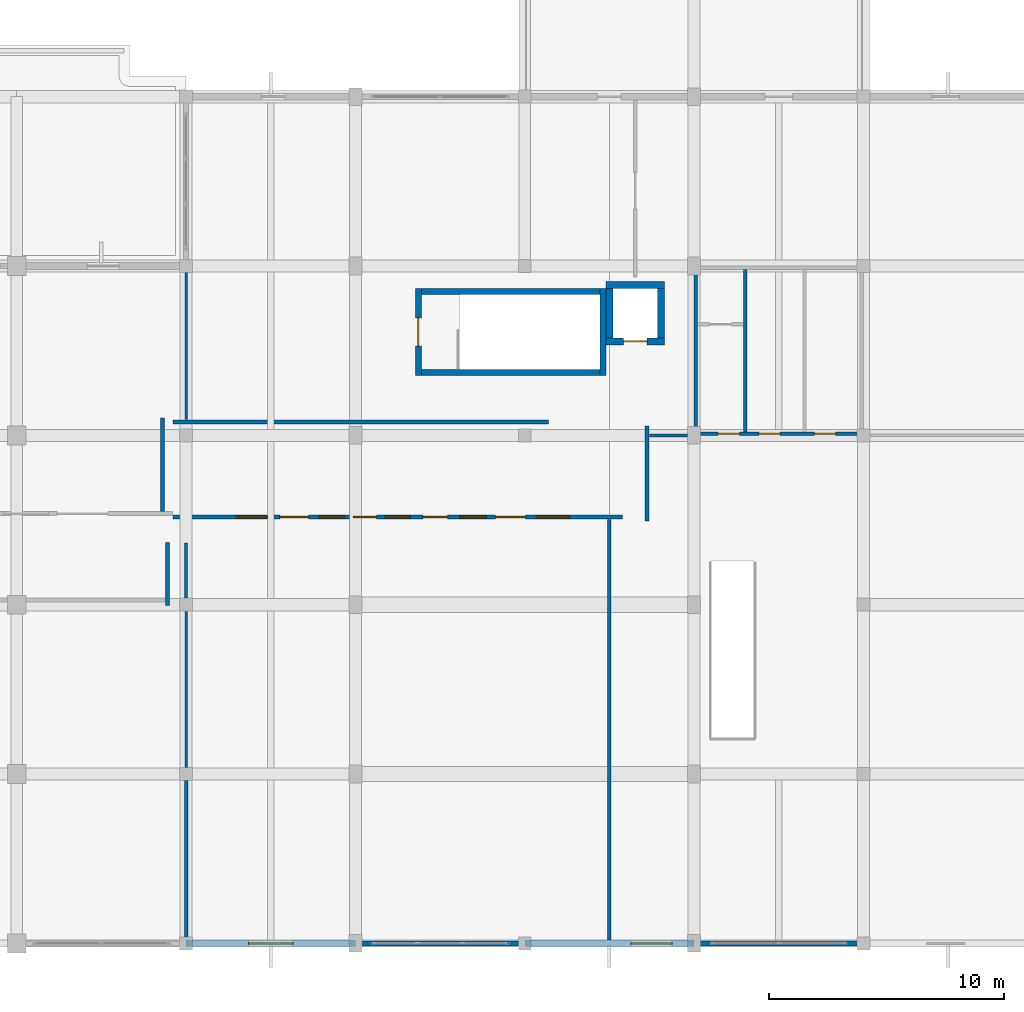
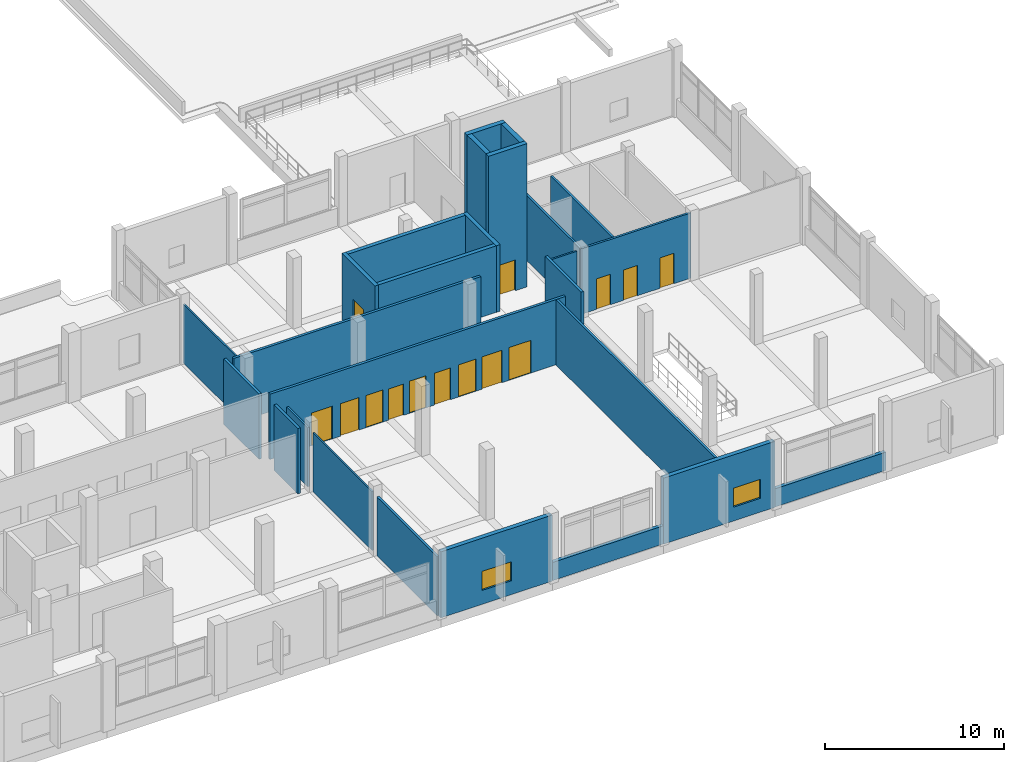
# One storey, part 128 of 140: 26 walls, 14 doors, 2 windows, 16 openings.
"""IFC4 building model written with IfcOpenShell, lengths in metres."""

import ifcopenshell
import ifcopenshell.guid

model = None  # the IFC model being written
_history = None  # IfcOwnerHistory: only IFC2X3 demands one
_inside = {}  # id of a spatial element -> (the spatial element, [elements in it])
_under = {}  # id of a project, library or spatial element -> (it, [spatial elements below it])
_declared = {}  # id of a project -> (the project, [libraries it declares])
_typed = {}  # id of a type object -> (the type object, [elements of that type])
_made_of = {}  # id of a material, layer set ... -> (it, [elements and type objects made of it])


def new_model(schema):
    """Start an empty IFC model of exactly this schema.

    Asked for "IFC4X3", IfcOpenShell would pick the latest addendum, in which some entities
    have other attributes; the version numbers below select the first issue.
    IFC2X3 requires an IfcOwnerHistory on every rooted entity: one is made here for all.
    """
    global model, _history
    if schema == "IFC4X3":
        model = ifcopenshell.file(schema_version=(4, 3, 0, 0))
    else:
        model = ifcopenshell.file(schema=schema)
    _inside.clear()
    _under.clear()
    _declared.clear()
    _typed.clear()
    _made_of.clear()
    _history = None
    if model.schema == "IFC2X3":
        org = make("IfcOrganization", Name="unknown")
        user = make(
            "IfcPersonAndOrganization",
            ThePerson=make("IfcPerson", FamilyName="unknown"),
            TheOrganization=org,
        )
        app = make(
            "IfcApplication",
            ApplicationDeveloper=org,
            Version="unknown",
            ApplicationFullName="unknown",
            ApplicationIdentifier="unknown",
        )
        _history = make(
            "IfcOwnerHistory",
            OwningUser=user,
            OwningApplication=app,
            ChangeAction="ADDED",
            CreationDate=0,
        )
    return model


def make(cls, **values):
    """One entity of the class cls with the attributes given. An attribute that is None is left unset."""
    return model.create_entity(
        cls, **{name: value for name, value in values.items() if value is not None}
    )


def rooted(cls, **values):
    """An entity with a GlobalId (a new one), such as an element, a storey or a relation."""
    return make(cls, GlobalId=ifcopenshell.guid.new(), OwnerHistory=_history, **values)


def si_unit(unit_type, name, prefix=None):
    """IfcSIUnit, for example si_unit("LENGTHUNIT", "METRE", prefix="MILLI")."""
    return make("IfcSIUnit", UnitType=unit_type, Prefix=prefix, Name=name)


def assignment(units):
    """IfcUnitAssignment: the units of a project."""
    return None if units is None else make("IfcUnitAssignment", Units=units)


def point(xyz):
    """IfcCartesianPoint."""
    return None if xyz is None else make("IfcCartesianPoint", Coordinates=xyz)


def direction(xyz):
    """IfcDirection."""
    return None if xyz is None else make("IfcDirection", DirectionRatios=xyz)


def frame(location, z_axis=None, x_axis=None):
    """IfcAxis2Placement3D, a coordinate frame: its origin and axes. An axis left out is left unset."""
    return make(
        "IfcAxis2Placement3D",
        Location=point(location),
        Axis=direction(z_axis),
        RefDirection=direction(x_axis),
    )


def frame_2d(location, x_axis=None):
    """IfcAxis2Placement2D, a coordinate frame in the plane: its origin and x axis."""
    return make(
        "IfcAxis2Placement2D", Location=point(location), RefDirection=direction(x_axis)
    )


def origin():
    """The frame at (0, 0, 0) with its axes left unset."""
    return frame((0.0, 0.0, 0.0))


def place(relative_to, where):
    """IfcLocalPlacement: puts the frame where relative to a parent placement (None: the world)."""
    return make(
        "IfcLocalPlacement", PlacementRelTo=relative_to, RelativePlacement=where
    )


def context(
    kind, dimensions, precision=None, world=None, true_north=None, identifier=None
):
    """IfcGeometricRepresentationContext, for example the 3D "Model" context."""
    return make(
        "IfcGeometricRepresentationContext",
        ContextIdentifier=identifier,
        ContextType=kind,
        CoordinateSpaceDimension=dimensions,
        Precision=precision,
        WorldCoordinateSystem=world,
        TrueNorth=true_north,
    )


def subcontext(parent, identifier, kind, view, scale=None):
    """IfcGeometricRepresentationSubContext, for example "Body" below "Model"."""
    return make(
        "IfcGeometricRepresentationSubContext",
        ContextIdentifier=identifier,
        ContextType=kind,
        ParentContext=parent,
        TargetScale=scale,
        TargetView=view,
    )


def project(units=None, contexts=None):
    """IfcProject with its units and contexts."""
    return rooted(
        "IfcProject",
        Name="project",
        RepresentationContexts=contexts,
        UnitsInContext=assignment(units),
    )


def spatial(cls, under=None, at=None, **own):
    """A site, building, storey or space (cls), placed at a placement, below another one or the project."""
    s = rooted(cls, ObjectPlacement=at, **own)
    if under is not None:
        _under.setdefault(under.id(), (under, []))[1].append(s)
    return s


def profile(cls, at=None, kind="AREA", **sizes):
    """A parametric profile (cls). Its sizes go by their IFC names, for example OverallWidth=200.0."""
    return make(cls, ProfileType=kind, Position=at, **sizes)


def rectangle(**sizes):
    """IfcRectangleProfileDef."""
    return profile("IfcRectangleProfileDef", **sizes)


def extrude(swept, where, along, depth):
    """IfcExtrudedAreaSolid: the profile swept, set in the frame where, extruded along a direction by depth."""
    return make(
        "IfcExtrudedAreaSolid",
        SweptArea=swept,
        Position=where,
        ExtrudedDirection=direction(along),
        Depth=depth,
    )


def shape(context_of_items, identifier, shape_type, items):
    """IfcShapeRepresentation: the items that make up one representation, for example the "Body"."""
    return make(
        "IfcShapeRepresentation",
        ContextOfItems=context_of_items,
        RepresentationIdentifier=identifier,
        RepresentationType=shape_type,
        Items=items,
    )


def material(Name=None, Category=None):
    """IfcMaterial."""
    return make("IfcMaterial", Name=Name, Category=Category)


def layer(
    of_material, thickness, ventilated=None, Name=None, Category=None, Priority=None
):
    """IfcMaterialLayer: one layer of a wall or slab, of a material (None: an air gap)."""
    return make(
        "IfcMaterialLayer",
        Material=of_material,
        LayerThickness=thickness,
        IsVentilated=ventilated,
        Name=Name,
        Category=Category,
        Priority=Priority,
    )


def layer_set(layers, Name=None):
    """IfcMaterialLayerSet."""
    return make("IfcMaterialLayerSet", MaterialLayers=layers, LayerSetName=Name)


def made_of(thing, what):
    """Note that an element or type object is made of a material, layer set ...; save() writes the relation."""
    if what is not None:
        _made_of.setdefault(what.id(), (what, []))[1].append(thing)
    return thing


def type_object(cls, material=None, **own):
    """A type object (cls), such as IfcWallType, which elements share."""
    return made_of(rooted(cls, **own), material)


def element(
    cls,
    number,
    at=None,
    inside=None,
    cuts=None,
    type_object=None,
    material=None,
    context=None,
    identifier="Body",
    shape_type=None,
    held_by="IfcProductDefinitionShape",
    body=None,
    shapes=None,
    **own,
):
    """One element of the class cls, such as IfcWall. Its Tag is "e" and its number.

    at: its placement. inside: the storey or other place that contains it. cuts: it is an
    opening in that element (IfcRelVoidsElement). A single representation is given by context,
    identifier, shape_type and body (its items); several are given by shapes. held_by: the class
    of the entity that holds the representations. save() writes the other relations.
    """
    e = rooted(cls, Tag="e%d" % number, ObjectPlacement=at, **own)
    if body is not None:
        shapes = [shape(context, identifier, shape_type, body)]
    if shapes is not None:
        e.Representation = make(held_by, Representations=shapes)
    if inside is not None:
        _inside.setdefault(inside.id(), (inside, []))[1].append(e)
    if cuts is not None:
        rooted(
            "IfcRelVoidsElement", RelatingBuildingElement=cuts, RelatedOpeningElement=e
        )
    if type_object is not None:
        _typed.setdefault(type_object.id(), (type_object, []))[1].append(e)
    return made_of(e, material)


def fill(opening, filler):
    """IfcRelFillsElement: the door or window that sits in an opening."""
    return rooted(
        "IfcRelFillsElement",
        RelatingOpeningElement=opening,
        RelatedBuildingElement=filler,
    )


def aggregate(whole, parts):
    """IfcRelAggregates: a whole, such as a stair, and the parts it consists of."""
    return rooted("IfcRelAggregates", RelatingObject=whole, RelatedObjects=parts)


def save(model, path):
    """Write the relations noted so far, then the file.

    IfcRelAggregates (storeys below a building ...), IfcRelContainedInSpatialStructure (elements
    in a storey), IfcRelDefinesByType, IfcRelAssociatesMaterial and IfcRelDeclares: one each for
    every whole, place, type object, material and project.
    """
    for whole, parts in _under.values():
        aggregate(whole, parts)
    for where, things in _inside.values():
        rooted(
            "IfcRelContainedInSpatialStructure",
            RelatedElements=things,
            RelatingStructure=where,
        )
    for kind, things in _typed.values():
        rooted("IfcRelDefinesByType", RelatedObjects=things, RelatingType=kind)
    for what, things in _made_of.values():
        rooted("IfcRelAssociatesMaterial", RelatedObjects=things, RelatingMaterial=what)
    for by, libraries in _declared.values():
        rooted("IfcRelDeclares", RelatingContext=by, RelatedDefinitions=libraries)
    model.write(path)


model = new_model("IFC4")

# Units and contexts
model_context = context("Model", 3, precision=1e-05, world=origin(), true_north=direction((0.0, 1.0)))
body_context = subcontext(model_context, "Body", "Model", "MODEL_VIEW")
ifc_project = project(units=[si_unit("LENGTHUNIT", "METRE"), si_unit("AREAUNIT", "SQUARE_METRE"), si_unit("VOLUMEUNIT", "CUBIC_METRE"), si_unit("PLANEANGLEUNIT", "RADIAN"), si_unit("MASSUNIT", "GRAM", prefix="KILO")], contexts=[model_context])

# Site, building, storey
site_placement = place(None, origin())
site = spatial("IfcSite", under=ifc_project, at=site_placement, CompositionType="ELEMENT")
building_placement = place(site_placement, origin())
building = spatial("IfcBuilding", under=site, at=building_placement, Name="Seraya Terrace Polytechnic", CompositionType="ELEMENT")
storey_placement = place(building_placement, frame((0.0, 0.0, 9.60009765625)))
storey = spatial("IfcBuildingStorey", under=building, at=storey_placement, Name="L02", CompositionType="ELEMENT", Elevation=9.60009765625)

# Wall, opening, window
ifc_material_1 = material(Name="Precast concrete C40/50", Category="concrete")
ifc_layer_1 = layer(ifc_material_1, 0.280029296875, Name="EW-02")
ifc_layer_set_1 = layer_set([ifc_layer_1], Name="Precast concrete C40/50")
wall_type_1 = type_object("IfcWallType", Name="EW-02", PredefinedType="SOLIDWALL", material=ifc_layer_set_1)
wall_1_placement = place(storey_placement, frame((151.199951171875, 0.0, 0.0), z_axis=(0.0, 0.0, 1.0), x_axis=(-1.0, 0.0, 0.0)))
wall_1 = element("IfcWall", 1, at=wall_1_placement, inside=storey, type_object=wall_type_1, Name="Exterior structural wall EW-02 L02", PredefinedType="SOLIDWALL", context=body_context, shape_type="SweptSolid", body=[
    extrude(rectangle(XDim=7.199951171875, YDim=0.280029296875, at=frame_2d((3.60009765625, 0.0))), origin(), (0.0, 0.0, 1.0), 4.52001953125),
])
opening_1_placement = place(wall_1_placement, frame((0.93505859375, 0.0, 0.949951171875)))
opening_1 = element("IfcOpeningElement", 2, at=opening_1_placement, cuts=wall_1, Name="Opening WN-06", PredefinedType="OPENING", context=body_context, shape_type="SweptSolid", body=[
    extrude(rectangle(XDim=1.75, YDim=1.300048828125, at=frame_2d((0.875, 0.64990234375))), frame((0.0, 0.15185546875, 0.0), z_axis=(0.0, -1.0, 0.0), x_axis=(1.0, 0.0, 0.0)), (0.0, 0.0, 1.0), 0.303955078125),
])
ifc_material_2 = material(Name="Laminated solar-control Low-E double glazing", Category="glass")
window_type_1 = type_object("IfcWindowType", Name="WN-06", PartitioningType="SINGLE_PANEL", PredefinedType="WINDOW", material=ifc_material_2)
window_1_placement = place(opening_1_placement, origin())
window_1 = element("IfcWindow", 3, at=window_1_placement, inside=storey, type_object=window_type_1, Name="Exterior window WN-06 L02", OverallHeight=1.300048828125, OverallWidth=1.75, PartitioningType="SINGLE_PANEL", PredefinedType="WINDOW", context=body_context, shape_type="SweptSolid", body=[
    extrude(rectangle(XDim=1.75, YDim=1.300048828125, at=frame_2d((0.875, 0.64990234375))), frame((0.0, 0.030029296875, 0.0), z_axis=(0.0, -1.0, 0.0), x_axis=(1.0, 0.0, 0.0)), (0.0, 0.0, 1.0), 0.06005859375),
])
fill(opening_1, window_1)

wall_2_placement = place(storey_placement, frame((136.800048828125, 0.0, 0.0), z_axis=(0.0, 0.0, 1.0), x_axis=(-1.0, 0.0, 0.0)))
wall_2 = element("IfcWall", 4, at=wall_2_placement, inside=storey, type_object=wall_type_1, Name="Exterior structural wall EW-02 L02", PredefinedType="SOLIDWALL", context=body_context, shape_type="SweptSolid", body=[
    extrude(rectangle(XDim=7.199951171875, YDim=0.280029296875, at=frame_2d((3.60009765625, 0.0))), origin(), (0.0, 0.0, 1.0), 4.52001953125),
])
opening_2_placement = place(wall_2_placement, frame((2.64990234375, 0.0, 0.949951171875)))
opening_2 = element("IfcOpeningElement", 5, at=opening_2_placement, cuts=wall_2, Name="Opening WN-07", PredefinedType="OPENING", context=body_context, shape_type="SweptSolid", body=[
    extrude(rectangle(XDim=1.89990234375, YDim=1.300048828125, at=frame_2d((0.949951171875, 0.64990234375))), frame((0.0, 0.15185546875, 0.0), z_axis=(0.0, -1.0, 0.0), x_axis=(1.0, 0.0, 0.0)), (0.0, 0.0, 1.0), 0.303955078125),
])
window_type_2 = type_object("IfcWindowType", Name="WN-07", PartitioningType="SINGLE_PANEL", PredefinedType="WINDOW", material=ifc_material_2)
window_2_placement = place(opening_2_placement, origin())
window_2 = element("IfcWindow", 6, at=window_2_placement, inside=storey, type_object=window_type_2, Name="Exterior window WN-07 L02", OverallHeight=1.300048828125, OverallWidth=1.89990234375, PartitioningType="SINGLE_PANEL", PredefinedType="WINDOW", context=body_context, shape_type="SweptSolid", body=[
    extrude(rectangle(XDim=1.89990234375, YDim=1.300048828125, at=frame_2d((0.949951171875, 0.64990234375))), frame((0.0, 0.030029296875, 0.0), z_axis=(0.0, -1.0, 0.0), x_axis=(1.0, 0.0, 0.0)), (0.0, 0.0, 1.0), 0.06005859375),
])
fill(opening_2, window_2)

# Walls
ifc_layer_2 = layer(ifc_material_1, 0.219970703125, Name="EW-05")
ifc_layer_set_2 = layer_set([ifc_layer_2], Name="Precast concrete C40/50")
wall_type_2 = type_object("IfcWallType", Name="EW-05", PredefinedType="SOLIDWALL", material=ifc_layer_set_2)
for number, where, z_axis, x_axis, name in (
    (7, (158.39990234375, 0.0, 0.0), (0.0, 0.0, 1.0), (-1.0, 0.0, 0.0), "Precast spandrel wall L02"),
    (8, (144.0, 0.0, 0.0), (0.0, 0.0, 1.0), (-1.0, 0.0, 0.0), "Precast spandrel wall L02"),
):
    element("IfcWall", number, at=place(storey_placement, frame(where, z_axis=z_axis, x_axis=x_axis)), inside=storey, type_object=wall_type_2, Name=name, PredefinedType="SOLIDWALL", context=body_context, shape_type="SweptSolid", body=[
        extrude(rectangle(XDim=7.199951171875, YDim=0.219970703125, at=frame_2d((3.60009765625, 0.0))), origin(), (0.0, 0.0, 1.0), 1.239990234375),
    ])
ifc_material_3 = material(Name="Autoclaved aerated concrete blockwork", Category="masonry")
ifc_layer_3 = layer(ifc_material_3, 0.169921875, Name="PT-02")
ifc_layer_set_3 = layer_set([ifc_layer_3], Name="Autoclaved aerated concrete blockwork")
wall_type_3 = type_object("IfcWallType", Name="PT-02", PredefinedType="PARTITIONING", material=ifc_layer_set_3)
wall_3_placement = place(storey_placement, frame((128.800048828125, 14.360107421875, 0.0), z_axis=(0.0, 0.0, 1.0), x_axis=(0.0, 1.0, 0.0)))
element("IfcWall", 9, at=wall_3_placement, inside=storey, type_object=wall_type_3, Name="Internal partition PT-02 L02", PredefinedType="PARTITIONING", context=body_context, shape_type="SweptSolid", body=[
    extrude(rectangle(XDim=2.683349609375, YDim=0.169921875, at=frame_2d((1.341796875, 0.0))), origin(), (0.0, 0.0, 1.0), 4.4599609375),
])
wall_4_placement = place(storey_placement, frame((128.60009765625, 18.3701171875, 0.0), z_axis=(0.0, 0.0, 1.0), x_axis=(0.0, 1.0, 0.0)))
element("IfcWall", 10, at=wall_4_placement, inside=storey, type_object=wall_type_3, Name="Internal partition PT-02 L02", PredefinedType="PARTITIONING", context=body_context, shape_type="SweptSolid", body=[
    extrude(rectangle(XDim=3.969970703125, YDim=0.169921875, at=frame_2d((1.98486328125, 0.0))), origin(), (0.0, 0.0, 1.0), 4.4599609375),
])

# Wall, openings, doors
wall_5_placement = place(storey_placement, frame((129.0400390625, 18.1298828125, 0.0), z_axis=(0.0, 0.0, 1.0), x_axis=(1.0, 0.0, 0.0)))
wall_5 = element("IfcWall", 11, at=wall_5_placement, inside=storey, type_object=wall_type_3, Name="Internal partition PT-02 L02", PredefinedType="PARTITIONING", context=body_context, shape_type="SweptSolid", body=[
    extrude(rectangle(XDim=19.119873046875, YDim=0.169921875, at=frame_2d((9.56005859375, 0.0))), origin(), (0.0, 0.0, 1.0), 4.4599609375),
])
opening_3_placement = place(wall_5_placement, frame((9.02001953125, 0.0, 0.0)))
opening_3 = element("IfcOpeningElement", 12, at=opening_3_placement, cuts=wall_5, Name="Opening ID-05", PredefinedType="OPENING", context=body_context, shape_type="SweptSolid", body=[
    extrude(rectangle(XDim=1.080078125, YDim=2.199951171875, at=frame_2d((0.5400390625, 1.10009765625))), frame((0.0, 0.096923828125, 0.0), z_axis=(0.0, -1.0, 0.0), x_axis=(1.0, 0.0, 0.0)), (0.0, 0.0, 1.0), 0.19384765625),
])
opening_4_placement = place(wall_5_placement, frame((7.669921875, 0.0, 0.0)))
opening_4 = element("IfcOpeningElement", 13, at=opening_4_placement, cuts=wall_5, Name="Opening ID-03", PredefinedType="OPENING", context=body_context, shape_type="SweptSolid", body=[
    extrude(rectangle(XDim=0.97998046875, YDim=2.139892578125, at=frame_2d((0.489990234375, 1.06982421875))), frame((0.0, 0.096923828125, 0.0), z_axis=(0.0, -1.0, 0.0), x_axis=(1.0, 0.0, 0.0)), (0.0, 0.0, 1.0), 0.19384765625),
])
opening_5_placement = place(wall_5_placement, frame((10.639892578125, 0.0, 0.0)))
opening_5 = element("IfcOpeningElement", 14, at=opening_5_placement, cuts=wall_5, Name="Opening ID-04", PredefinedType="OPENING", context=body_context, shape_type="SweptSolid", body=[
    extrude(rectangle(XDim=1.0400390625, YDim=2.179931640625, at=frame_2d((0.52001953125, 1.08984375))), frame((0.0, 0.096923828125, 0.0), z_axis=(0.0, -1.0, 0.0), x_axis=(1.0, 0.0, 0.0)), (0.0, 0.0, 1.0), 0.19384765625),
])
opening_6_placement = place(wall_5_placement, frame((6.219970703125, 0.0, 0.0)))
opening_6 = element("IfcOpeningElement", 15, at=opening_6_placement, cuts=wall_5, Name="Opening ID-05", PredefinedType="OPENING", context=body_context, shape_type="SweptSolid", body=[
    extrude(rectangle(XDim=1.080078125, YDim=2.199951171875, at=frame_2d((0.5400390625, 1.10009765625))), frame((0.0, 0.096923828125, 0.0), z_axis=(0.0, -1.0, 0.0), x_axis=(1.0, 0.0, 0.0)), (0.0, 0.0, 1.0), 0.19384765625),
])
opening_7_placement = place(wall_5_placement, frame((12.18994140625, 0.0, 0.0)))
opening_7 = element("IfcOpeningElement", 16, at=opening_7_placement, cuts=wall_5, Name="Opening ID-06", PredefinedType="OPENING", context=body_context, shape_type="SweptSolid", body=[
    extrude(rectangle(XDim=1.139892578125, YDim=2.199951171875, at=frame_2d((0.56982421875, 1.10009765625))), frame((0.0, 0.096923828125, 0.0), z_axis=(0.0, -1.0, 0.0), x_axis=(1.0, 0.0, 0.0)), (0.0, 0.0, 1.0), 0.19384765625),
])
opening_8_placement = place(wall_5_placement, frame((4.550048828125, 0.0, 0.0)))
opening_8 = element("IfcOpeningElement", 17, at=opening_8_placement, cuts=wall_5, Name="Opening ID-07", PredefinedType="OPENING", context=body_context, shape_type="SweptSolid", body=[
    extrude(rectangle(XDim=1.219970703125, YDim=2.219970703125, at=frame_2d((0.60986328125, 1.10986328125))), frame((0.0, 0.096923828125, 0.0), z_axis=(0.0, -1.0, 0.0), x_axis=(1.0, 0.0, 0.0)), (0.0, 0.0, 1.0), 0.19384765625),
])
opening_9_placement = place(wall_5_placement, frame((13.719970703125, 0.0, 0.0)))
opening_9 = element("IfcOpeningElement", 18, at=opening_9_placement, cuts=wall_5, Name="Opening ID-08", PredefinedType="OPENING", context=body_context, shape_type="SweptSolid", body=[
    extrude(rectangle(XDim=1.280029296875, YDim=2.219970703125, at=frame_2d((0.64013671875, 1.10986328125))), frame((0.0, 0.096923828125, 0.0), z_axis=(0.0, -1.0, 0.0), x_axis=(1.0, 0.0, 0.0)), (0.0, 0.0, 1.0), 0.19384765625),
])
opening_10_placement = place(wall_5_placement, frame((2.68994140625, 0.0, 0.0)))
opening_10 = element("IfcOpeningElement", 19, at=opening_10_placement, cuts=wall_5, Name="Opening ID-09", PredefinedType="OPENING", context=body_context, shape_type="SweptSolid", body=[
    extrude(rectangle(XDim=1.340087890625, YDim=2.239990234375, at=frame_2d((0.669921875, 1.1201171875))), frame((0.0, 0.096923828125, 0.0), z_axis=(0.0, -1.0, 0.0), x_axis=(1.0, 0.0, 0.0)), (0.0, 0.0, 1.0), 0.19384765625),
])
opening_11_placement = place(wall_5_placement, frame((15.449951171875, 0.0, 0.0)))
opening_11 = element("IfcOpeningElement", 20, at=opening_11_placement, cuts=wall_5, Name="Opening ID-10", PredefinedType="OPENING", context=body_context, shape_type="SweptSolid", body=[
    extrude(rectangle(XDim=1.419921875, YDim=2.239990234375, at=frame_2d((0.7099609375, 1.1201171875))), frame((0.0, 0.096923828125, 0.0), z_axis=(0.0, -1.0, 0.0), x_axis=(1.0, 0.0, 0.0)), (0.0, 0.0, 1.0), 0.19384765625),
])
ifc_material_4 = material(Name="Malaysian dark red meranti hardwood timber D40", Category="wood")
door_type_1 = type_object("IfcDoorType", Name="ID-03", OperationType="NOTDEFINED", PredefinedType="DOOR", material=ifc_material_4)
door_1_placement = place(opening_4_placement, origin())
door_1 = element("IfcDoor", 21, at=door_1_placement, inside=storey, type_object=door_type_1, Name="Door ID-03 DR-INT-L02-0176 in WL-INT-L02-0491", OperationType="SINGLE_SWING_LEFT", OverallHeight=2.139892578125, OverallWidth=0.97998046875, PredefinedType="DOOR", context=body_context, shape_type="SweptSolid", body=[
    extrude(rectangle(XDim=0.97998046875, YDim=2.139892578125, at=frame_2d((0.489990234375, 1.06982421875))), frame((0.0, 0.02490234375, 0.0), z_axis=(0.0, -1.0, 0.0), x_axis=(1.0, 0.0, 0.0)), (0.0, 0.0, 1.0), 0.050048828125),
])
fill(opening_4, door_1)
door_type_2 = type_object("IfcDoorType", Name="ID-04", OperationType="NOTDEFINED", PredefinedType="DOOR", material=ifc_material_4)
door_2_placement = place(opening_5_placement, frame((1.0400390625, 0.0, 0.0), z_axis=(0.0, 0.0, 1.0), x_axis=(-1.0, 0.0, 0.0)))
door_2 = element("IfcDoor", 22, at=door_2_placement, inside=storey, type_object=door_type_2, Name="Door ID-04 DR-INT-L02-0177 in WL-INT-L02-0491", OperationType="SINGLE_SWING_RIGHT", OverallHeight=2.179931640625, OverallWidth=1.0400390625, PredefinedType="DOOR", context=body_context, shape_type="SweptSolid", body=[
    extrude(rectangle(XDim=1.0400390625, YDim=2.179931640625, at=frame_2d((0.52001953125, 1.08984375))), frame((0.0, 0.02490234375, 0.0), z_axis=(0.0, -1.0, 0.0), x_axis=(1.0, 0.0, 0.0)), (0.0, 0.0, 1.0), 0.050048828125),
])
fill(opening_5, door_2)
door_type_3 = type_object("IfcDoorType", Name="ID-05", OperationType="NOTDEFINED", PredefinedType="DOOR", material=ifc_material_4)
door_3_placement = place(opening_3_placement, origin())
door_3 = element("IfcDoor", 23, at=door_3_placement, inside=storey, type_object=door_type_3, Name="Door ID-05 DR-INT-L02-0162 in WL-INT-L02-0491", OperationType="SINGLE_SWING_LEFT", OverallHeight=2.199951171875, OverallWidth=1.080078125, PredefinedType="DOOR", context=body_context, shape_type="SweptSolid", body=[
    extrude(rectangle(XDim=1.080078125, YDim=2.199951171875, at=frame_2d((0.5400390625, 1.10009765625))), frame((0.0, 0.02490234375, 0.0), z_axis=(0.0, -1.0, 0.0), x_axis=(1.0, 0.0, 0.0)), (0.0, 0.0, 1.0), 0.050048828125),
])
fill(opening_3, door_3)
door_4_placement = place(opening_6_placement, origin())
door_4 = element("IfcDoor", 24, at=door_4_placement, inside=storey, type_object=door_type_3, Name="Door ID-05 DR-INT-L02-0178 in WL-INT-L02-0491", OperationType="SINGLE_SWING_LEFT", OverallHeight=2.199951171875, OverallWidth=1.080078125, PredefinedType="DOOR", context=body_context, shape_type="SweptSolid", body=[
    extrude(rectangle(XDim=1.080078125, YDim=2.199951171875, at=frame_2d((0.5400390625, 1.10009765625))), frame((0.0, 0.02490234375, 0.0), z_axis=(0.0, -1.0, 0.0), x_axis=(1.0, 0.0, 0.0)), (0.0, 0.0, 1.0), 0.050048828125),
])
fill(opening_6, door_4)
door_type_4 = type_object("IfcDoorType", Name="ID-06", OperationType="NOTDEFINED", PredefinedType="DOOR", material=ifc_material_4)
door_5_placement = place(opening_7_placement, frame((1.139892578125, 0.0, 0.0), z_axis=(0.0, 0.0, 1.0), x_axis=(-1.0, 0.0, 0.0)))
door_5 = element("IfcDoor", 25, at=door_5_placement, inside=storey, type_object=door_type_4, Name="Door ID-06 DR-INT-L02-0179 in WL-INT-L02-0491", OperationType="SINGLE_SWING_RIGHT", OverallHeight=2.199951171875, OverallWidth=1.139892578125, PredefinedType="DOOR", context=body_context, shape_type="SweptSolid", body=[
    extrude(rectangle(XDim=1.139892578125, YDim=2.199951171875, at=frame_2d((0.56982421875, 1.10009765625))), frame((0.0, 0.02490234375, 0.0), z_axis=(0.0, -1.0, 0.0), x_axis=(1.0, 0.0, 0.0)), (0.0, 0.0, 1.0), 0.050048828125),
])
fill(opening_7, door_5)
door_type_5 = type_object("IfcDoorType", Name="ID-07", OperationType="NOTDEFINED", PredefinedType="DOOR", material=ifc_material_4)
door_6_placement = place(opening_8_placement, origin())
door_6 = element("IfcDoor", 26, at=door_6_placement, inside=storey, type_object=door_type_5, Name="Door ID-07 DR-INT-L02-0180 in WL-INT-L02-0491", OperationType="SINGLE_SWING_LEFT", OverallHeight=2.219970703125, OverallWidth=1.219970703125, PredefinedType="DOOR", context=body_context, shape_type="SweptSolid", body=[
    extrude(rectangle(XDim=1.219970703125, YDim=2.219970703125, at=frame_2d((0.60986328125, 1.10986328125))), frame((0.0, 0.02490234375, 0.0), z_axis=(0.0, -1.0, 0.0), x_axis=(1.0, 0.0, 0.0)), (0.0, 0.0, 1.0), 0.050048828125),
])
fill(opening_8, door_6)
door_type_6 = type_object("IfcDoorType", Name="ID-08", OperationType="NOTDEFINED", PredefinedType="DOOR", material=ifc_material_4)
door_7_placement = place(opening_9_placement, frame((1.280029296875, 0.0, 0.0), z_axis=(0.0, 0.0, 1.0), x_axis=(-1.0, 0.0, 0.0)))
door_7 = element("IfcDoor", 27, at=door_7_placement, inside=storey, type_object=door_type_6, Name="Door ID-08 DR-INT-L02-0181 in WL-INT-L02-0491", OperationType="SINGLE_SWING_RIGHT", OverallHeight=2.219970703125, OverallWidth=1.280029296875, PredefinedType="DOOR", context=body_context, shape_type="SweptSolid", body=[
    extrude(rectangle(XDim=1.280029296875, YDim=2.219970703125, at=frame_2d((0.64013671875, 1.10986328125))), frame((0.0, 0.02490234375, 0.0), z_axis=(0.0, -1.0, 0.0), x_axis=(1.0, 0.0, 0.0)), (0.0, 0.0, 1.0), 0.050048828125),
])
fill(opening_9, door_7)
door_type_7 = type_object("IfcDoorType", Name="ID-09", OperationType="NOTDEFINED", PredefinedType="DOOR", material=ifc_material_4)
door_8_placement = place(opening_10_placement, origin())
door_8 = element("IfcDoor", 28, at=door_8_placement, inside=storey, type_object=door_type_7, Name="Door ID-09 DR-INT-L02-0182 in WL-INT-L02-0491", OperationType="SINGLE_SWING_LEFT", OverallHeight=2.239990234375, OverallWidth=1.340087890625, PredefinedType="DOOR", context=body_context, shape_type="SweptSolid", body=[
    extrude(rectangle(XDim=1.340087890625, YDim=2.239990234375, at=frame_2d((0.669921875, 1.1201171875))), frame((0.0, 0.02490234375, 0.0), z_axis=(0.0, -1.0, 0.0), x_axis=(1.0, 0.0, 0.0)), (0.0, 0.0, 1.0), 0.050048828125),
])
fill(opening_10, door_8)
door_type_8 = type_object("IfcDoorType", Name="ID-10", OperationType="DOUBLE_DOOR_SINGLE_SWING", PredefinedType="DOOR", material=ifc_material_4)
door_9_placement = place(opening_11_placement, frame((1.419921875, 0.0, 0.0), z_axis=(0.0, 0.0, 1.0), x_axis=(-1.0, 0.0, 0.0)))
door_9 = element("IfcDoor", 29, at=door_9_placement, inside=storey, type_object=door_type_8, Name="Door ID-10 DR-INT-L02-0183 in WL-INT-L02-0491", OperationType="DOUBLE_DOOR_SINGLE_SWING", OverallHeight=2.239990234375, OverallWidth=1.419921875, PredefinedType="DOOR", context=body_context, shape_type="SweptSolid", body=[
    extrude(rectangle(XDim=1.419921875, YDim=2.239990234375, at=frame_2d((0.7099609375, 1.1201171875))), frame((0.0, 0.02490234375, 0.0), z_axis=(0.0, -1.0, 0.0), x_axis=(1.0, 0.0, 0.0)), (0.0, 0.0, 1.0), 0.050048828125),
])
fill(opening_11, door_9)

# Walls
wall_6_placement = place(storey_placement, frame((149.199951171875, 17.9599609375, 0.0), z_axis=(0.0, 0.0, 1.0), x_axis=(0.0, 1.0, 0.0)))
element("IfcWall", 30, at=wall_6_placement, inside=storey, type_object=wall_type_3, Name="Internal partition PT-02 L02", PredefinedType="PARTITIONING", context=body_context, shape_type="SweptSolid", body=[
    extrude(rectangle(XDim=4.0400390625, YDim=0.169921875, at=frame_2d((2.02001953125, 0.0))), origin(), (0.0, 0.0, 1.0), 4.4599609375),
])
wall_7_placement = place(storey_placement, frame((129.0400390625, 22.169921875, 0.0), z_axis=(0.0, 0.0, 1.0), x_axis=(1.0, 0.0, 0.0)))
element("IfcWall", 31, at=wall_7_placement, inside=storey, type_object=wall_type_3, Name="Internal partition PT-02 L02", PredefinedType="PARTITIONING", context=body_context, shape_type="SweptSolid", body=[
    extrude(rectangle(XDim=15.971923828125, YDim=0.169921875, at=frame_2d((7.98583984375, 0.0))), origin(), (0.0, 0.0, 1.0), 4.4599609375),
])
ifc_layer_4 = layer(ifc_material_3, 0.14990234375, Name="PT-03")
ifc_layer_set_4 = layer_set([ifc_layer_4], Name="Autoclaved aerated concrete blockwork")
wall_type_4 = type_object("IfcWallType", Name="PT-03", PredefinedType="PARTITIONING", material=ifc_layer_set_4)
wall_8_placement = place(storey_placement, frame((129.60009765625, 0.152099609375, 0.0), z_axis=(0.0, 0.0, 1.0), x_axis=(0.0, 1.0, 0.0)))
element("IfcWall", 32, at=wall_8_placement, inside=storey, type_object=wall_type_4, Name="Internal partition PT-03 L02", PredefinedType="PARTITIONING", context=body_context, shape_type="SweptSolid", body=[
    extrude(rectangle(XDim=6.762939453125, YDim=0.14990234375, at=frame_2d((3.38134765625, 0.0))), origin(), (0.0, 0.0, 1.0), 4.02978515625),
])
wall_9_placement = place(storey_placement, frame((147.60009765625, 0.152099609375, 0.0), z_axis=(0.0, 0.0, 1.0), x_axis=(0.0, 1.0, 0.0)))
element("IfcWall", 33, at=wall_9_placement, inside=storey, type_object=wall_type_4, Name="Internal partition PT-03 L02", PredefinedType="PARTITIONING", context=body_context, shape_type="SweptSolid", body=[
    extrude(rectangle(XDim=17.8779296875, YDim=0.14990234375, at=frame_2d((8.93896484375, 0.0))), origin(), (0.0, 0.0, 1.0), 4.4599609375),
])

# Wall, openings, doors
ifc_layer_5 = layer(ifc_material_3, 0.139892578125, Name="PT-04")
ifc_layer_set_5 = layer_set([ifc_layer_5], Name="Autoclaved aerated concrete blockwork")
wall_type_5 = type_object("IfcWallType", Name="PT-04", PredefinedType="PARTITIONING", material=ifc_layer_set_5)
wall_10_placement = place(storey_placement, frame((151.27001953125, 21.669921875, 0.0), z_axis=(0.0, 0.0, 1.0), x_axis=(1.0, 0.0, 0.0)))
wall_10 = element("IfcWall", 34, at=wall_10_placement, inside=storey, type_object=wall_type_5, Name="Sanitary WC-D South wall L02", PredefinedType="PARTITIONING", context=body_context, shape_type="SweptSolid", body=[
    extrude(rectangle(XDim=7.06005859375, YDim=0.139892578125, at=frame_2d((3.530029296875, 0.0))), origin(), (0.0, 0.0, 1.0), 4.4599609375),
])
opening_12_placement = place(wall_10_placement, frame((0.949951171875, 0.0, 0.0)))
opening_12 = element("IfcOpeningElement", 35, at=opening_12_placement, cuts=wall_10, Name="Opening ID-02", PredefinedType="OPENING", context=body_context, shape_type="SweptSolid", body=[
    extrude(rectangle(XDim=0.89990234375, YDim=2.080078125, at=frame_2d((0.449951171875, 1.0400390625))), frame((0.0, 0.08203125, 0.0), z_axis=(0.0, -1.0, 0.0), x_axis=(1.0, 0.0, 0.0)), (0.0, 0.0, 1.0), 0.163818359375),
])
opening_13_placement = place(wall_10_placement, frame((2.679931640625, 0.0, 0.0)))
opening_13 = element("IfcOpeningElement", 36, at=opening_13_placement, cuts=wall_10, Name="Opening ID-02", PredefinedType="OPENING", context=body_context, shape_type="SweptSolid", body=[
    extrude(rectangle(XDim=0.89990234375, YDim=2.080078125, at=frame_2d((0.449951171875, 1.0400390625))), frame((0.0, 0.08203125, 0.0), z_axis=(0.0, -1.0, 0.0), x_axis=(1.0, 0.0, 0.0)), (0.0, 0.0, 1.0), 0.163818359375),
])
opening_14_placement = place(wall_10_placement, frame((5.050048828125, 0.0, 0.0)))
opening_14 = element("IfcOpeningElement", 37, at=opening_14_placement, cuts=wall_10, Name="Opening ID-02", PredefinedType="OPENING", context=body_context, shape_type="SweptSolid", body=[
    extrude(rectangle(XDim=0.89990234375, YDim=2.080078125, at=frame_2d((0.449951171875, 1.0400390625))), frame((0.0, 0.08203125, 0.0), z_axis=(0.0, -1.0, 0.0), x_axis=(1.0, 0.0, 0.0)), (0.0, 0.0, 1.0), 0.163818359375),
])
door_type_9 = type_object("IfcDoorType", Name="ID-02", OperationType="NOTDEFINED", PredefinedType="DOOR", material=ifc_material_4)
door_10_placement = place(opening_12_placement, origin())
door_10 = element("IfcDoor", 38, at=door_10_placement, inside=storey, type_object=door_type_9, Name="Door ID-02 DR-WC-WC-D-L02-CLN in WL-WC-WC-D-L02-S", OperationType="SINGLE_SWING_LEFT", OverallHeight=2.080078125, OverallWidth=0.89990234375, PredefinedType="DOOR", context=body_context, shape_type="SweptSolid", body=[
    extrude(rectangle(XDim=0.89990234375, YDim=2.080078125, at=frame_2d((0.449951171875, 1.0400390625))), frame((0.0, 0.02490234375, 0.0), z_axis=(0.0, -1.0, 0.0), x_axis=(1.0, 0.0, 0.0)), (0.0, 0.0, 1.0), 0.050048828125),
])
fill(opening_12, door_10)
door_11_placement = place(opening_13_placement, origin())
door_11 = element("IfcDoor", 39, at=door_11_placement, inside=storey, type_object=door_type_9, Name="Door ID-02 DR-WC-WC-D-L02-M in WL-WC-WC-D-L02-S", OperationType="SINGLE_SWING_RIGHT", OverallHeight=2.080078125, OverallWidth=0.89990234375, PredefinedType="DOOR", context=body_context, shape_type="SweptSolid", body=[
    extrude(rectangle(XDim=0.89990234375, YDim=2.080078125, at=frame_2d((0.449951171875, 1.0400390625))), frame((0.0, 0.02490234375, 0.0), z_axis=(0.0, -1.0, 0.0), x_axis=(1.0, 0.0, 0.0)), (0.0, 0.0, 1.0), 0.050048828125),
])
fill(opening_13, door_11)
door_12_placement = place(opening_14_placement, origin())
door_12 = element("IfcDoor", 40, at=door_12_placement, inside=storey, type_object=door_type_9, Name="Door ID-02 DR-WC-WC-D-L02-F in WL-WC-WC-D-L02-S", OperationType="SINGLE_SWING_LEFT", OverallHeight=2.080078125, OverallWidth=0.89990234375, PredefinedType="DOOR", context=body_context, shape_type="SweptSolid", body=[
    extrude(rectangle(XDim=0.89990234375, YDim=2.080078125, at=frame_2d((0.449951171875, 1.0400390625))), frame((0.0, 0.02490234375, 0.0), z_axis=(0.0, -1.0, 0.0), x_axis=(1.0, 0.0, 0.0)), (0.0, 0.0, 1.0), 0.050048828125),
])
fill(opening_14, door_12)

# Walls
for number, where, z_axis, x_axis, name in (
    (41, (151.27001953125, 21.75, 0.0), (0.0, 0.0, 1.0), (0.0, 1.0, 0.0), "Sanitary WC-D West wall L02"),
    (42, (153.3798828125, 21.75, 0.0), (0.0, 0.0, 1.0), (0.0, 1.0, 0.0), "Sanitary WC-D OKU/Male divider L02"),
):
    element("IfcWall", number, at=place(storey_placement, frame(where, z_axis=z_axis, x_axis=x_axis)), inside=storey, type_object=wall_type_5, Name=name, PredefinedType="PARTITIONING", context=body_context, shape_type="SweptSolid", body=[
        extrude(rectangle(XDim=6.89990234375, YDim=0.139892578125, at=frame_2d((3.449951171875, 0.0))), origin(), (0.0, 0.0, 1.0), 4.4599609375),
    ])
ifc_layer_6 = layer(ifc_material_3, 0.1201171875, Name="PT-05")
ifc_layer_set_6 = layer_set([ifc_layer_6], Name="Autoclaved aerated concrete blockwork")
wall_type_6 = type_object("IfcWallType", Name="PT-05", PredefinedType="PARTITIONING", material=ifc_layer_set_6)
wall_11_placement = place(storey_placement, frame((129.60009765625, 14.68505859375, 0.0), z_axis=(0.0, 0.0, 1.0), x_axis=(0.0, 1.0, 0.0)))
element("IfcWall", 43, at=wall_11_placement, inside=storey, type_object=wall_type_6, Name="Internal partition PT-05 L02", PredefinedType="PARTITIONING", context=body_context, shape_type="SweptSolid", body=[
    extrude(rectangle(XDim=2.346923828125, YDim=0.1201171875, at=frame_2d((1.17333984375, 0.0))), origin(), (0.0, 0.0, 1.0), 4.02978515625),
])
wall_12_placement = place(storey_placement, frame((149.300048828125, 21.60009765625, 0.0), z_axis=(0.0, 0.0, 1.0), x_axis=(1.0, 0.0, 0.0)))
element("IfcWall", 44, at=wall_12_placement, inside=storey, type_object=wall_type_6, Name="Internal partition PT-05 L02", PredefinedType="PARTITIONING", context=body_context, shape_type="SweptSolid", body=[
    extrude(rectangle(XDim=1.614990234375, YDim=0.1201171875, at=frame_2d((0.8076171875, 0.0))), origin(), (0.0, 0.0, 1.0), 4.4599609375),
])
ifc_layer_7 = layer(ifc_material_3, 0.10009765625, Name="PT-06")
ifc_layer_set_7 = layer_set([ifc_layer_7], Name="Autoclaved aerated concrete blockwork")
wall_type_7 = type_object("IfcWallType", Name="PT-06", PredefinedType="PARTITIONING", material=ifc_layer_set_7)
wall_13_placement = place(storey_placement, frame((129.60009765625, 7.485107421875, 0.0), z_axis=(0.0, 0.0, 1.0), x_axis=(0.0, 1.0, 0.0)))
element("IfcWall", 45, at=wall_13_placement, inside=storey, type_object=wall_type_7, Name="Internal partition PT-06 L02", PredefinedType="PARTITIONING", context=body_context, shape_type="SweptSolid", body=[
    extrude(rectangle(XDim=6.6298828125, YDim=0.10009765625, at=frame_2d((3.31494140625, 0.0))), origin(), (0.0, 0.0, 1.0), 4.02978515625),
])
wall_14_placement = place(storey_placement, frame((129.60009765625, 22.27001953125, 0.0), z_axis=(0.0, 0.0, 1.0), x_axis=(0.0, 1.0, 0.0)))
element("IfcWall", 46, at=wall_14_placement, inside=storey, type_object=wall_type_7, Name="Internal partition PT-06 L02", PredefinedType="PARTITIONING", context=body_context, shape_type="SweptSolid", body=[
    extrude(rectangle(XDim=6.3779296875, YDim=0.10009765625, at=frame_2d((3.18896484375, 0.0))), origin(), (0.0, 0.0, 1.0), 4.02978515625),
])

# Wall, opening, door
ifc_material_5 = material(Name="Concrete C40/50", Category="concrete")
ifc_layer_8 = layer(ifc_material_5, 0.300048828125, Name="SW-01")
ifc_layer_set_8 = layer_set([ifc_layer_8], Name="Concrete C40/50")
wall_type_8 = type_object("IfcWallType", Name="SW-01", PredefinedType="SHEAR", material=ifc_layer_set_8)
wall_15_placement = place(storey_placement, frame((147.449951171875, 25.60009765625, 0.0), z_axis=(0.0, 0.0, 1.0), x_axis=(1.0, 0.0, 0.0)))
wall_15 = element("IfcWall", 47, at=wall_15_placement, inside=storey, type_object=wall_type_8, Name="Lift shaft PL-06 South wall L02", PredefinedType="SHEAR", context=body_context, shape_type="SweptSolid", body=[
    extrude(rectangle(XDim=2.5, YDim=0.300048828125, at=frame_2d((1.25, 0.0))), origin(), (0.0, 0.0, 1.0), 9.789794921875),
])
opening_15_placement = place(wall_15_placement, frame((0.75, 0.0, 0.0)))
opening_15 = element("IfcOpeningElement", 48, at=opening_15_placement, cuts=wall_15, Name="Opening LD-01", PredefinedType="OPENING", context=body_context, shape_type="SweptSolid", body=[
    extrude(rectangle(XDim=1.0, YDim=2.10009765625, at=frame_2d((0.5, 1.050048828125))), frame((0.0, 0.162109375, 0.0), z_axis=(0.0, -1.0, 0.0), x_axis=(1.0, 0.0, 0.0)), (0.0, 0.0, 1.0), 0.323974609375),
])
ifc_material_6 = material(Name="Steel S355J2", Category="steel")
door_type_10 = type_object("IfcDoorType", Name="LD-01", OperationType="SLIDING_TO_LEFT", PredefinedType="DOOR", material=ifc_material_6)
door_13_placement = place(opening_15_placement, frame((1.0, 0.0, 0.0), z_axis=(0.0, 0.0, 1.0), x_axis=(-1.0, 0.0, 0.0)))
door_13 = element("IfcDoor", 49, at=door_13_placement, inside=storey, type_object=door_type_10, Name="Door LD-01 LD-PL-06-L02 in WL-SHF-PL-06-L02-S", OperationType="SLIDING_TO_RIGHT", OverallHeight=2.10009765625, OverallWidth=1.0, PredefinedType="DOOR", context=body_context, shape_type="SweptSolid", body=[
    extrude(rectangle(XDim=1.0, YDim=2.10009765625, at=frame_2d((0.5, 1.050048828125))), frame((0.0, 0.02490234375, 0.0), z_axis=(0.0, -1.0, 0.0), x_axis=(1.0, 0.0, 0.0)), (0.0, 0.0, 1.0), 0.050048828125),
])
fill(opening_15, door_13)

# Walls
wall_16_placement = place(storey_placement, frame((147.449951171875, 28.0, 0.0), z_axis=(0.0, 0.0, 1.0), x_axis=(1.0, 0.0, 0.0)))
element("IfcWall", 50, at=wall_16_placement, inside=storey, type_object=wall_type_8, Name="Lift shaft PL-06 North wall L02", PredefinedType="SHEAR", context=body_context, shape_type="SweptSolid", body=[
    extrude(rectangle(XDim=2.5, YDim=0.300048828125, at=frame_2d((1.25, 0.0))), origin(), (0.0, 0.0, 1.0), 9.789794921875),
])
for number, where, z_axis, x_axis, name in (
    (51, (147.60009765625, 25.75, 0.0), (0.0, 0.0, 1.0), (0.0, 1.0, 0.0), "Lift shaft PL-06 West wall L02"),
    (52, (149.800048828125, 25.75, 0.0), (0.0, 0.0, 1.0), (0.0, 1.0, 0.0), "Lift shaft PL-06 East wall L02"),
):
    element("IfcWall", number, at=place(storey_placement, frame(where, z_axis=z_axis, x_axis=x_axis)), inside=storey, type_object=wall_type_8, Name=name, PredefinedType="SHEAR", context=body_context, shape_type="SweptSolid", body=[
        extrude(rectangle(XDim=2.10009765625, YDim=0.300048828125, at=frame_2d((1.050048828125, 0.0))), origin(), (0.0, 0.0, 1.0), 9.789794921875),
    ])

# Wall, opening, door
ifc_layer_9 = layer(ifc_material_5, 0.25, Name="SW-02")
ifc_layer_set_9 = layer_set([ifc_layer_9], Name="Concrete C40/50")
wall_type_9 = type_object("IfcWallType", Name="SW-02", PredefinedType="SHEAR", material=ifc_layer_set_9)
wall_17_placement = place(storey_placement, frame((139.47509765625, 24.14990234375, 0.0), z_axis=(0.0, 0.0, 1.0), x_axis=(0.0, 1.0, 0.0)))
wall_17 = element("IfcWall", 53, at=wall_17_placement, inside=storey, type_object=wall_type_9, Name="Stairwell ST-10 West wall L02", PredefinedType="SHEAR", context=body_context, shape_type="SweptSolid", body=[
    extrude(rectangle(XDim=3.7001953125, YDim=0.25, at=frame_2d((1.85009765625, 0.0))), origin(), (0.0, 0.0, 1.0), 4.5498046875),
])
opening_16_placement = place(wall_17_placement, frame((1.25, 0.0, 0.0)))
opening_16 = element("IfcOpeningElement", 54, at=opening_16_placement, cuts=wall_17, Name="Opening FD-01", PredefinedType="OPENING", context=body_context, shape_type="SweptSolid", body=[
    extrude(rectangle(XDim=1.199951171875, YDim=2.14990234375, at=frame_2d((0.60009765625, 1.074951171875))), frame((0.0, 0.136962890625, 0.0), z_axis=(0.0, -1.0, 0.0), x_axis=(1.0, 0.0, 0.0)), (0.0, 0.0, 1.0), 0.27392578125),
])
door_type_11 = type_object("IfcDoorType", Name="FD-01", OperationType="NOTDEFINED", PredefinedType="DOOR", material=ifc_material_6)
door_14_placement = place(opening_16_placement, frame((1.199951171875, 0.0, 0.0), z_axis=(0.0, 0.0, 1.0), x_axis=(-1.0, 0.0, 0.0)))
door_14 = element("IfcDoor", 55, at=door_14_placement, inside=storey, type_object=door_type_11, Name="Door FD-01 DR-STR-ST-10-L02 in WL-STR-ST-10-L02-W", OperationType="SINGLE_SWING_LEFT", OverallHeight=2.14990234375, OverallWidth=1.199951171875, PredefinedType="DOOR", context=body_context, shape_type="SweptSolid", body=[
    extrude(rectangle(XDim=1.199951171875, YDim=2.14990234375, at=frame_2d((0.60009765625, 1.074951171875))), frame((0.0, 0.02490234375, 0.0), z_axis=(0.0, -1.0, 0.0), x_axis=(1.0, 0.0, 0.0)), (0.0, 0.0, 1.0), 0.050048828125),
])
fill(opening_16, door_14)

# Walls
wall_18_placement = place(storey_placement, frame((147.324951171875, 24.14990234375, 0.0), z_axis=(0.0, 0.0, 1.0), x_axis=(0.0, 1.0, 0.0)))
element("IfcWall", 56, at=wall_18_placement, inside=storey, type_object=wall_type_9, Name="Stairwell ST-10 East wall L02", PredefinedType="SHEAR", context=body_context, shape_type="SweptSolid", body=[
    extrude(rectangle(XDim=3.7001953125, YDim=0.25, at=frame_2d((1.85009765625, 0.0))), origin(), (0.0, 0.0, 1.0), 4.5498046875),
])
for number, where, z_axis, x_axis, name in (
    (57, (139.60009765625, 24.27490234375, 0.0), (0.0, 0.0, 1.0), (1.0, 0.0, 0.0), "Stairwell ST-10 South wall L02"),
    (58, (139.60009765625, 27.72509765625, 0.0), (0.0, 0.0, 1.0), (1.0, 0.0, 0.0), "Stairwell ST-10 North wall L02"),
):
    element("IfcWall", number, at=place(storey_placement, frame(where, z_axis=z_axis, x_axis=x_axis)), inside=storey, type_object=wall_type_9, Name=name, PredefinedType="SHEAR", context=body_context, shape_type="SweptSolid", body=[
        extrude(rectangle(XDim=7.599853515625, YDim=0.25, at=frame_2d((3.7998046875, 0.0))), origin(), (0.0, 0.0, 1.0), 4.5498046875),
    ])

save(model, "model.ifc")
